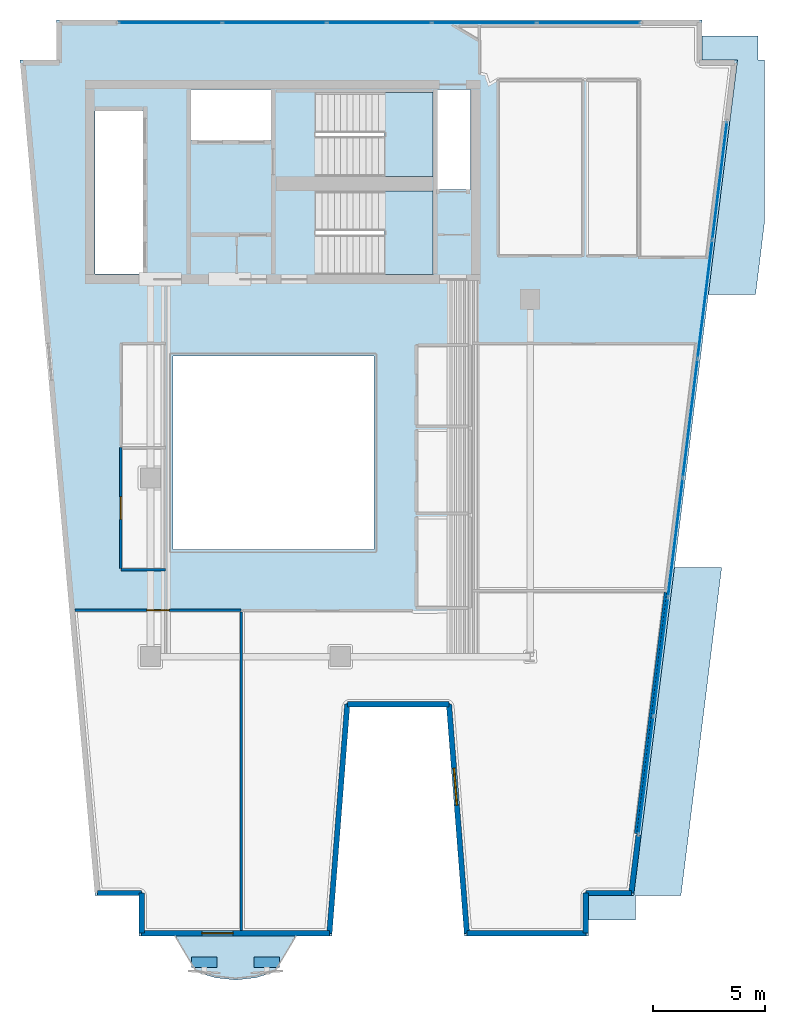
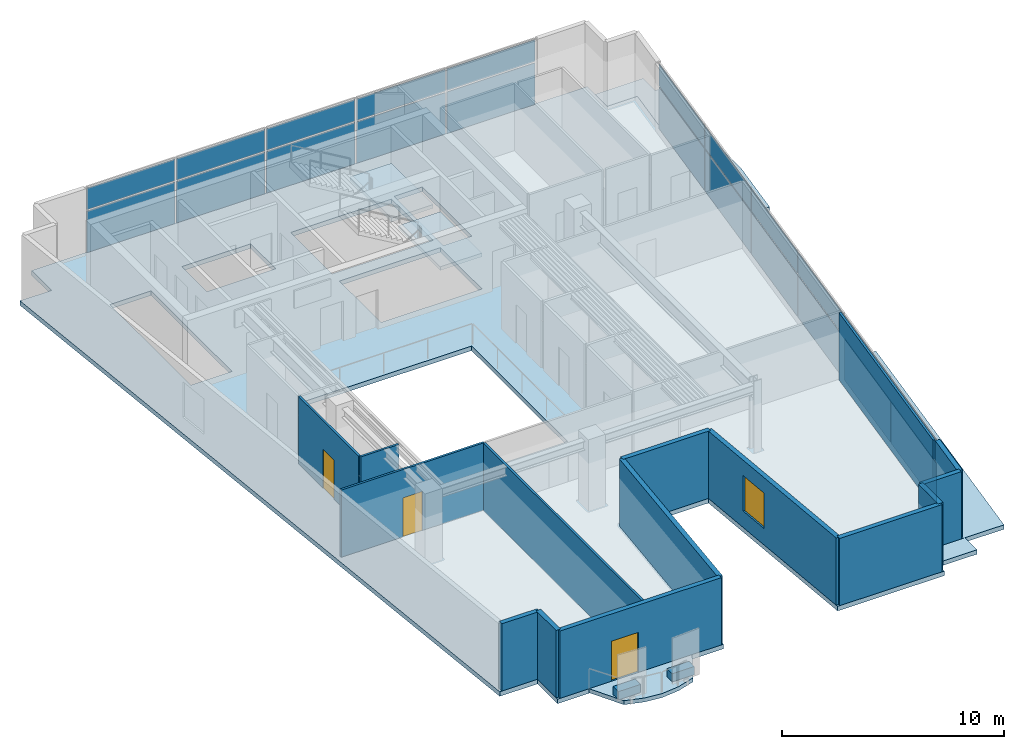
# One storey, part 3 of 8: 24 plates, 15 walls, 6 slabs, 3 doors, 1 window, 4 openings, 4 elements without a shape of their own.
"""IFC4 building model written with IfcOpenShell, lengths in metres."""

from ifc_helpers import new_model, si_unit, direction, frame, frame_2d, origin, origin_2d, place, context, subcontext, project, spatial, polyline, rectangle, outline, extrude, material, layer, layer_set, type_object, element, fill, aggregate, save


model = new_model("IFC4")

# Units and contexts
model_context = context("Model", 3, precision=1e-05, world=origin(), true_north=direction((0.0, 1.0)))
body_context = subcontext(model_context, "Body", "Model", "MODEL_VIEW")
ifc_project = project(units=[si_unit("LENGTHUNIT", "METRE"), si_unit("AREAUNIT", "SQUARE_METRE"), si_unit("VOLUMEUNIT", "CUBIC_METRE"), si_unit("PLANEANGLEUNIT", "RADIAN"), si_unit("MASSUNIT", "GRAM", prefix="KILO")], contexts=[model_context])

# Site, building, storey
site_placement = place(None, origin())
site = spatial("IfcSite", under=ifc_project, at=site_placement, CompositionType="ELEMENT")
building_placement = place(site_placement, origin())
building = spatial("IfcBuilding", under=site, at=building_placement, Name="Caeloran Harvest Quay", CompositionType="ELEMENT")
storey_placement = place(building_placement, frame((0.0, 0.0, 256.699951171875)))
storey = spatial("IfcBuildingStorey", under=building, at=storey_placement, Name="L61", CompositionType="ELEMENT", Elevation=256.699951171875)

# Slab
ifc_material_1 = material(Name="Concrete C50/60", Category="concrete")
ifc_layer_1 = layer(ifc_material_1, 0.219970703125, Name="Concrete C50/60")
ifc_layer_set_1 = layer_set([ifc_layer_1], Name="Concrete C50/60")
slab_type_1 = type_object("IfcSlabType", Name="BALCONY-BL-220", PredefinedType="FLOOR", material=ifc_layer_set_1)
slab_1_placement = place(storey_placement, frame((0.0, 0.0, -0.219970703125)))
element("IfcSlab", 1, at=slab_1_placement, inside=storey, type_object=slab_type_1, Name="L61 Scalloped Cantilevered Planted Balcony Slab", PredefinedType="FLOOR", context=body_context, shape_type="SweptSolid", body=[
    extrude(outline(polyline([(14.103515625, 0.897216796875), (13.20654296875, 0.624267578125), (12.3095703125, 0.5244140625), (11.41259765625, 0.624267578125), (10.515380859375, 0.897216796875), (9.629638671875, 2.5), (14.989501953125, 2.5), (14.103515625, 0.897216796875)])), origin(), (0.0, 0.0, 1.0), 0.219970703125),
])

# Curtain wall, plates
ifc_material_2 = material(Name="Aluminium 6063-T6 and Low-E Glazing", Category="aluminium")
ifc_layer_2 = layer(ifc_material_2, 0.219970703125, Name="Aluminium 6063-T6 and Low-E Glazing")
ifc_layer_set_2 = layer_set([ifc_layer_2], Name="Aluminium 6063-T6 and Low-E Glazing")
curtain_wall_type = type_object("IfcCurtainWallType", Name="CW-SYS-CW-5", PredefinedType="USERDEFINED", material=ifc_layer_set_2)
curtain_wall_1_placement = place(storey_placement, origin())
curtain_wall_1 = element("IfcCurtainWall", 2, at=curtain_wall_1_placement, inside=storey, type_object=curtain_wall_type, Name="L61 Unitised Curtain Wall CW-5 Run 6", ObjectType="CURTAIN_WALL", PredefinedType="USERDEFINED")
ifc_material_3 = material(Name="Low-E Double Glazed Vision Glass Unit", Category="glass")
ifc_layer_3 = layer(ifc_material_3, 0.035888671875, Name="Low-E Double Glazed Vision Glass Unit")
ifc_layer_set_3 = layer_set([ifc_layer_3], Name="Low-E Double Glazed Vision Glass Unit")
plate_type_1 = type_object("IfcPlateType", Name="CW-VISION-PANEL", PredefinedType="CURTAIN_PANEL", material=ifc_layer_set_3)
plate_1_placement = place(storey_placement, frame((9.385986328125, 43.3798828125, 0.080078125), z_axis=(0.0, 0.0, 1.0), x_axis=(1.0, 0.0, 0.0)))
plate_1 = element("IfcPlate", 3, at=plate_1_placement, type_object=plate_type_1, Name="CW-5 panel 1.1", PredefinedType="CURTAIN_PANEL", context=body_context, shape_type="SweptSolid", body=[
    extrude(rectangle(XDim=4.572021484375, YDim=0.035888671875, at=origin_2d()), origin(), (0.0, 0.0, 1.0), 2.280029296875),
])
plate_2_placement = place(storey_placement, frame((9.385986328125, 43.3798828125, 2.43994140625), z_axis=(0.0, 0.0, 1.0), x_axis=(1.0, 0.0, 0.0)))
plate_2 = element("IfcPlate", 4, at=plate_2_placement, type_object=plate_type_1, Name="CW-5 panel 1.2", PredefinedType="CURTAIN_PANEL", context=body_context, shape_type="SweptSolid", body=[
    extrude(rectangle(XDim=4.572021484375, YDim=0.035888671875, at=origin_2d()), origin(), (0.0, 0.0, 1.0), 1.179931640625),
])
plate_3_placement = place(storey_placement, frame((14.05810546875, 43.3798828125, 0.080078125), z_axis=(0.0, 0.0, 1.0), x_axis=(1.0, 0.0, 0.0)))
plate_3 = element("IfcPlate", 5, at=plate_3_placement, type_object=plate_type_1, Name="CW-5 panel 2.1", PredefinedType="CURTAIN_PANEL", context=body_context, shape_type="SweptSolid", body=[
    extrude(rectangle(XDim=4.612060546875, YDim=0.035888671875, at=origin_2d()), origin(), (0.0, 0.0, 1.0), 2.280029296875),
])
plate_4_placement = place(storey_placement, frame((14.05810546875, 43.3798828125, 2.43994140625), z_axis=(0.0, 0.0, 1.0), x_axis=(1.0, 0.0, 0.0)))
plate_4 = element("IfcPlate", 6, at=plate_4_placement, type_object=plate_type_1, Name="CW-5 panel 2.2", PredefinedType="CURTAIN_PANEL", context=body_context, shape_type="SweptSolid", body=[
    extrude(rectangle(XDim=4.612060546875, YDim=0.035888671875, at=origin_2d()), origin(), (0.0, 0.0, 1.0), 1.179931640625),
])
plate_5_placement = place(storey_placement, frame((18.75, 43.3798828125, 0.080078125), z_axis=(0.0, 0.0, 1.0), x_axis=(1.0, 0.0, 0.0)))
plate_5 = element("IfcPlate", 7, at=plate_5_placement, type_object=plate_type_1, Name="CW-5 panel 3.1", PredefinedType="CURTAIN_PANEL", context=body_context, shape_type="SweptSolid", body=[
    extrude(rectangle(XDim=4.612060546875, YDim=0.035888671875, at=origin_2d()), origin(), (0.0, 0.0, 1.0), 2.280029296875),
])
plate_6_placement = place(storey_placement, frame((18.75, 43.3798828125, 2.43994140625), z_axis=(0.0, 0.0, 1.0), x_axis=(1.0, 0.0, 0.0)))
plate_6 = element("IfcPlate", 8, at=plate_6_placement, type_object=plate_type_1, Name="CW-5 panel 3.2", PredefinedType="CURTAIN_PANEL", context=body_context, shape_type="SweptSolid", body=[
    extrude(rectangle(XDim=4.612060546875, YDim=0.035888671875, at=origin_2d()), origin(), (0.0, 0.0, 1.0), 1.179931640625),
])
plate_7_placement = place(storey_placement, frame((23.44189453125, 43.3798828125, 0.080078125), z_axis=(0.0, 0.0, 1.0), x_axis=(1.0, 0.0, 0.0)))
plate_7 = element("IfcPlate", 9, at=plate_7_placement, type_object=plate_type_1, Name="CW-5 panel 4.1", PredefinedType="CURTAIN_PANEL", context=body_context, shape_type="SweptSolid", body=[
    extrude(rectangle(XDim=4.612060546875, YDim=0.035888671875, at=origin_2d()), origin(), (0.0, 0.0, 1.0), 2.280029296875),
])
plate_8_placement = place(storey_placement, frame((23.44189453125, 43.3798828125, 2.43994140625), z_axis=(0.0, 0.0, 1.0), x_axis=(1.0, 0.0, 0.0)))
plate_8 = element("IfcPlate", 10, at=plate_8_placement, type_object=plate_type_1, Name="CW-5 panel 4.2", PredefinedType="CURTAIN_PANEL", context=body_context, shape_type="SweptSolid", body=[
    extrude(rectangle(XDim=4.612060546875, YDim=0.035888671875, at=origin_2d()), origin(), (0.0, 0.0, 1.0), 1.179931640625),
])
plate_9_placement = place(storey_placement, frame((28.114013671875, 43.3798828125, 0.080078125), z_axis=(0.0, 0.0, 1.0), x_axis=(1.0, 0.0, 0.0)))
plate_9 = element("IfcPlate", 11, at=plate_9_placement, type_object=plate_type_1, Name="CW-5 panel 5.1", PredefinedType="CURTAIN_PANEL", context=body_context, shape_type="SweptSolid", body=[
    extrude(rectangle(XDim=4.572021484375, YDim=0.035888671875, at=origin_2d()), origin(), (0.0, 0.0, 1.0), 2.280029296875),
])
plate_10_placement = place(storey_placement, frame((28.114013671875, 43.3798828125, 2.43994140625), z_axis=(0.0, 0.0, 1.0), x_axis=(1.0, 0.0, 0.0)))
plate_10 = element("IfcPlate", 12, at=plate_10_placement, type_object=plate_type_1, Name="CW-5 panel 5.2", PredefinedType="CURTAIN_PANEL", context=body_context, shape_type="SweptSolid", body=[
    extrude(rectangle(XDim=4.572021484375, YDim=0.035888671875, at=origin_2d()), origin(), (0.0, 0.0, 1.0), 1.179931640625),
])
aggregate(curtain_wall_1, [plate_1, plate_2, plate_3, plate_4, plate_5, plate_6, plate_7, plate_8, plate_9, plate_10])

curtain_wall_2_placement = place(storey_placement, origin())
curtain_wall_2 = element("IfcCurtainWall", 13, at=curtain_wall_2_placement, inside=storey, type_object=curtain_wall_type, Name="L61 Unitised Curtain Wall CW-5 Run 9", ObjectType="CURTAIN_WALL", PredefinedType="USERDEFINED")
plate_11_placement = place(storey_placement, frame((33.987060546875, 36.313232421875, 0.080078125), z_axis=(0.0, 0.0, 1.0), x_axis=(-0.123190390176, -0.992383054958, 0.0)))
plate_11 = element("IfcPlate", 14, at=plate_11_placement, type_object=plate_type_1, Name="CW-5 panel 1.1", PredefinedType="CURTAIN_PANEL", context=body_context, shape_type="SweptSolid", body=[
    extrude(rectangle(XDim=5.254150390625, YDim=0.035888671875, at=origin_2d()), origin(), (0.0, 0.0, 1.0), 2.280029296875),
])
plate_12_placement = place(storey_placement, frame((33.987060546875, 36.313232421875, 2.43994140625), z_axis=(0.0, 0.0, 1.0), x_axis=(-0.123190390176, -0.992383054958, 0.0)))
plate_12 = element("IfcPlate", 15, at=plate_12_placement, type_object=plate_type_1, Name="CW-5 panel 1.2", PredefinedType="CURTAIN_PANEL", context=body_context, shape_type="SweptSolid", body=[
    extrude(rectangle(XDim=5.254150390625, YDim=0.035888671875, at=origin_2d()), origin(), (0.0, 0.0, 1.0), 1.179931640625),
])
plate_13_placement = place(storey_placement, frame((33.327392578125, 31.0, 0.080078125), z_axis=(0.0, 0.0, 1.0), x_axis=(-0.123190390176, -0.992383054958, 0.0)))
plate_13 = element("IfcPlate", 16, at=plate_13_placement, type_object=plate_type_1, Name="CW-5 panel 2.1", PredefinedType="CURTAIN_PANEL", context=body_context, shape_type="SweptSolid", body=[
    extrude(rectangle(XDim=5.294189453125, YDim=0.035888671875, at=origin_2d()), origin(), (0.0, 0.0, 1.0), 2.280029296875),
])
plate_14_placement = place(storey_placement, frame((33.327392578125, 31.0, 2.43994140625), z_axis=(0.0, 0.0, 1.0), x_axis=(-0.123190390176, -0.992383054958, 0.0)))
plate_14 = element("IfcPlate", 17, at=plate_14_placement, type_object=plate_type_1, Name="CW-5 panel 2.2", PredefinedType="CURTAIN_PANEL", context=body_context, shape_type="SweptSolid", body=[
    extrude(rectangle(XDim=5.294189453125, YDim=0.035888671875, at=origin_2d()), origin(), (0.0, 0.0, 1.0), 1.179931640625),
])
plate_15_placement = place(storey_placement, frame((32.665283203125, 25.666748046875, 0.080078125), z_axis=(0.0, 0.0, 1.0), x_axis=(-0.123190390176, -0.992383054958, 0.0)))
plate_15 = element("IfcPlate", 18, at=plate_15_placement, type_object=plate_type_1, Name="CW-5 panel 3.1", PredefinedType="CURTAIN_PANEL", context=body_context, shape_type="SweptSolid", body=[
    extrude(rectangle(XDim=5.294189453125, YDim=0.035888671875, at=origin_2d()), origin(), (0.0, 0.0, 1.0), 2.280029296875),
])
plate_16_placement = place(storey_placement, frame((32.665283203125, 25.666748046875, 2.43994140625), z_axis=(0.0, 0.0, 1.0), x_axis=(-0.123190390176, -0.992383054958, 0.0)))
plate_16 = element("IfcPlate", 19, at=plate_16_placement, type_object=plate_type_1, Name="CW-5 panel 3.2", PredefinedType="CURTAIN_PANEL", context=body_context, shape_type="SweptSolid", body=[
    extrude(rectangle(XDim=5.294189453125, YDim=0.035888671875, at=origin_2d()), origin(), (0.0, 0.0, 1.0), 1.179931640625),
])
plate_17_placement = place(storey_placement, frame((32.00341796875, 20.333251953125, 0.080078125), z_axis=(0.0, 0.0, 1.0), x_axis=(-0.123190390176, -0.992383054958, 0.0)))
plate_17 = element("IfcPlate", 20, at=plate_17_placement, type_object=plate_type_1, Name="CW-5 panel 4.1", PredefinedType="CURTAIN_PANEL", context=body_context, shape_type="SweptSolid", body=[
    extrude(rectangle(XDim=5.294189453125, YDim=0.035888671875, at=origin_2d()), origin(), (0.0, 0.0, 1.0), 2.280029296875),
])
plate_18_placement = place(storey_placement, frame((32.00341796875, 20.333251953125, 2.43994140625), z_axis=(0.0, 0.0, 1.0), x_axis=(-0.123190390176, -0.992383054958, 0.0)))
plate_18 = element("IfcPlate", 21, at=plate_18_placement, type_object=plate_type_1, Name="CW-5 panel 4.2", PredefinedType="CURTAIN_PANEL", context=body_context, shape_type="SweptSolid", body=[
    extrude(rectangle(XDim=5.294189453125, YDim=0.035888671875, at=origin_2d()), origin(), (0.0, 0.0, 1.0), 1.179931640625),
])
plate_19_placement = place(storey_placement, frame((31.34130859375, 15.0, 0.080078125), z_axis=(0.0, 0.0, 1.0), x_axis=(-0.123190390176, -0.992383054958, 0.0)))
plate_19 = element("IfcPlate", 22, at=plate_19_placement, type_object=plate_type_1, Name="CW-5 panel 5.1", PredefinedType="CURTAIN_PANEL", context=body_context, shape_type="SweptSolid", body=[
    extrude(rectangle(XDim=5.294189453125, YDim=0.035888671875, at=origin_2d()), origin(), (0.0, 0.0, 1.0), 2.280029296875),
])
plate_20_placement = place(storey_placement, frame((31.34130859375, 15.0, 2.43994140625), z_axis=(0.0, 0.0, 1.0), x_axis=(-0.123190390176, -0.992383054958, 0.0)))
plate_20 = element("IfcPlate", 23, at=plate_20_placement, type_object=plate_type_1, Name="CW-5 panel 5.2", PredefinedType="CURTAIN_PANEL", context=body_context, shape_type="SweptSolid", body=[
    extrude(rectangle(XDim=5.294189453125, YDim=0.035888671875, at=origin_2d()), origin(), (0.0, 0.0, 1.0), 1.179931640625),
])
plate_21_placement = place(storey_placement, frame((30.681640625, 9.686767578125, 0.080078125), z_axis=(0.0, 0.0, 1.0), x_axis=(-0.123190390176, -0.992383054958, 0.0)))
plate_21 = element("IfcPlate", 24, at=plate_21_placement, type_object=plate_type_1, Name="CW-5 panel 6.1", PredefinedType="CURTAIN_PANEL", context=body_context, shape_type="SweptSolid", body=[
    extrude(rectangle(XDim=5.254150390625, YDim=0.035888671875, at=origin_2d()), origin(), (0.0, 0.0, 1.0), 2.280029296875),
])
plate_22_placement = place(storey_placement, frame((30.681640625, 9.686767578125, 2.43994140625), z_axis=(0.0, 0.0, 1.0), x_axis=(-0.123190390176, -0.992383054958, 0.0)))
plate_22 = element("IfcPlate", 25, at=plate_22_placement, type_object=plate_type_1, Name="CW-5 panel 6.2", PredefinedType="CURTAIN_PANEL", context=body_context, shape_type="SweptSolid", body=[
    extrude(rectangle(XDim=5.254150390625, YDim=0.035888671875, at=origin_2d()), origin(), (0.0, 0.0, 1.0), 1.179931640625),
])
aggregate(curtain_wall_2, [plate_11, plate_12, plate_13, plate_14, plate_15, plate_16, plate_17, plate_18, plate_19, plate_20, plate_21, plate_22])

# Plates
ifc_material_4 = material(Name="Precast concrete C50/60", Category="concrete")
ifc_layer_4 = layer(ifc_material_4, 0.449951171875, Name="Precast concrete C50/60")
ifc_layer_set_4 = layer_set([ifc_layer_4], Name="Precast concrete C50/60")
plate_type_2 = type_object("IfcPlateType", Name="PLANTER-TROUGH-450", PredefinedType="USERDEFINED", material=ifc_layer_set_4)
for number, where, z_axis, x_axis, name in (
    (26, (13.708740234375, 1.32080078125, 0.0), (0.0, 0.0, 1.0), (1.0, 0.0, 0.0), "L61 Balcony Vertical-Greenery Precast PLANTER Trough 1"),
    (27, (10.91015625, 1.32080078125, 0.0), (0.0, 0.0, 1.0), (1.0, 0.0, 0.0), "L61 Balcony Vertical-Greenery Precast PLANTER Trough 2"),
):
    element("IfcPlate", number, at=place(storey_placement, frame(where, z_axis=z_axis, x_axis=x_axis)), inside=storey, type_object=plate_type_2, Name=name, ObjectType="PLANTER", PredefinedType="USERDEFINED", context=body_context, shape_type="SweptSolid", body=[
        extrude(rectangle(XDim=1.14990234375, YDim=0.47998046875, at=origin_2d()), origin(), (0.0, 0.0, 1.0), 0.449951171875),
    ])

# Slabs
ifc_layer_5 = layer(ifc_material_1, 0.25, Name="Concrete C50/60")
ifc_layer_set_5 = layer_set([ifc_layer_5], Name="Concrete C50/60")
slab_type_2 = type_object("IfcSlabType", Name="SLAB-FS-250", PredefinedType="FLOOR", material=ifc_layer_set_5)
slab_2_placement = place(storey_placement, frame((0.0, 0.0, -0.25)))
element("IfcSlab", 28, at=slab_2_placement, inside=storey, type_object=slab_type_2, Name="L61 Structural Floor Slab", PredefinedType="FLOOR", context=body_context, shape_type="SweptSolid", body=[
    extrude(outline(polyline([(7.985595703125, 2.5), (16.62451171875, 2.5), (17.424560546875, 12.75), (21.755615234375, 12.75), (22.5556640625, 2.5), (28.110595703125, 2.5), (28.110595703125, 4.300048828125), (30.1337890625, 4.300048828125), (34.776611328125, 41.699951171875), (33.199951171875, 41.699951171875), (33.199951171875, 43.5), (4.300048828125, 43.5), (4.300048828125, 41.699951171875), (2.661865234375, 41.699951171875), (6.023681640625, 4.300048828125), (7.985595703125, 4.300048828125), (7.985595703125, 2.5)]), holes=[polyline([(18.5, 28.449951171875), (18.5, 19.800048828125), (9.5, 19.800048828125), (9.5, 28.449951171875), (18.5, 28.449951171875)]), polyline([(15.89990234375, 32.10009765625), (15.89990234375, 35.85009765625), (21.14990234375, 35.85009765625), (21.14990234375, 32.10009765625), (15.89990234375, 32.10009765625)]), polyline([(8.159912109375, 32.1201171875), (6.02001953125, 32.1201171875), (6.02001953125, 39.419921875), (8.159912109375, 39.419921875), (8.159912109375, 32.1201171875)]), polyline([(22.830078125, 40.3798828125), (22.830078125, 35.919921875), (21.35009765625, 35.919921875), (21.35009765625, 40.3798828125), (22.830078125, 40.3798828125)]), polyline([(15.89990234375, 36.5), (15.89990234375, 40.25), (21.14990234375, 40.25), (21.14990234375, 36.5), (15.89990234375, 36.5)]), polyline([(13.89990234375, 38.1201171875), (10.320068359375, 38.1201171875), (10.320068359375, 40.3798828125), (13.89990234375, 40.3798828125), (13.89990234375, 38.1201171875)])]), origin(), (0.0, 0.0, 1.0), 0.25),
])
ifc_layer_6 = layer(ifc_material_1, 0.239990234375, Name="Concrete C50/60")
ifc_layer_set_6 = layer_set([ifc_layer_6], Name="Concrete C50/60")
slab_type_3 = type_object("IfcSlabType", Name="SLAB-TR-240", PredefinedType="ROOF", material=ifc_layer_set_6)
slab_3_placement = place(storey_placement, frame((0.0, 0.0, -0.239990234375)))
element("IfcSlab", 29, at=slab_3_placement, inside=storey, type_object=slab_type_3, Name="L61 Step-Back Roof Slab 1", PredefinedType="ROOF", context=body_context, shape_type="SweptSolid", body=[
    extrude(outline(polyline([(32.25, 4.300048828125), (30.218994140625, 4.300048828125), (30.218994140625, 3.2099609375), (28.110595703125, 3.2099609375), (28.110595703125, 4.300048828125), (30.1337890625, 4.300048828125), (31.958740234375, 19.0), (33.050048828125, 19.0), (34.07470703125, 19.0), (32.25, 4.300048828125)])), origin(), (0.0, 0.0, 1.0), 0.239990234375),
])
slab_4_placement = place(storey_placement, frame((0.0, 0.0, -0.239990234375)))
element("IfcSlab", 30, at=slab_4_placement, inside=storey, type_object=slab_type_3, Name="L61 Step-Back Roof Slab 2", PredefinedType="ROOF", context=body_context, shape_type="SweptSolid", body=[
    extrude(outline(polyline([(35.699951171875, 41.699951171875), (36.0, 41.699951171875), (36.0, 34.508544921875), (35.590576171875, 31.2099609375), (33.474365234375, 31.2099609375), (34.776611328125, 41.699951171875), (33.199951171875, 41.699951171875), (33.199951171875, 42.7900390625), (35.699951171875, 42.7900390625), (35.699951171875, 41.699951171875)])), origin(), (0.0, 0.0, 1.0), 0.239990234375),
])

# Stair, slab
stair_type = type_object("IfcStairType", Name="STAIR-STC-180", PredefinedType="HALF_TURN_STAIR", material=ifc_material_1)
stair_1_placement = place(storey_placement, origin())
stair_1 = element("IfcStair", 31, at=stair_1_placement, inside=storey, type_object=stair_type, Name="L61 Core Pressurized Exit Stair ST-C1", PredefinedType="HALF_TURN_STAIR")
ifc_layer_7 = layer(ifc_material_1, 0.219970703125, Name="Concrete C50/60")
ifc_layer_set_7 = layer_set([ifc_layer_7], Name="Concrete C50/60")
slab_type_4 = type_object("IfcSlabType", Name="STAIR-LANDING-220", PredefinedType="LANDING", material=ifc_layer_set_7)
slab_5_placement = place(storey_placement, frame((0.0, 0.0, 1.775146484375)))
slab_5 = element("IfcSlab", 32, at=slab_5_placement, type_object=slab_type_4, Name="ST-C1 landing 1", PredefinedType="LANDING", context=body_context, shape_type="SweptSolid", body=[
    extrude(outline(polyline([(18.97998046875, 36.5), (21.14990234375, 36.5), (21.14990234375, 40.25), (18.97998046875, 40.25), (18.97998046875, 36.5)])), origin(), (0.0, 0.0, 1.0), 0.199951171875),
])
aggregate(stair_1, [slab_5])

stair_2_placement = place(storey_placement, origin())
stair_2 = element("IfcStair", 33, at=stair_2_placement, inside=storey, type_object=stair_type, Name="L61 Core Pressurized Exit Stair ST-C2", PredefinedType="HALF_TURN_STAIR")
slab_6_placement = place(storey_placement, frame((0.0, 0.0, 1.775146484375)))
slab_6 = element("IfcSlab", 34, at=slab_6_placement, type_object=slab_type_4, Name="ST-C2 landing 1", PredefinedType="LANDING", context=body_context, shape_type="SweptSolid", body=[
    extrude(outline(polyline([(18.97998046875, 32.10009765625), (21.14990234375, 32.10009765625), (21.14990234375, 35.85009765625), (18.97998046875, 35.85009765625), (18.97998046875, 32.10009765625)])), origin(), (0.0, 0.0, 1.0), 0.199951171875),
])
aggregate(stair_2, [slab_6])

# Walls
ifc_layer_8 = layer(ifc_material_4, 0.239990234375, Name="Precast concrete C50/60")
ifc_layer_set_8 = layer_set([ifc_layer_8], Name="Precast concrete C50/60")
wall_type_1 = type_object("IfcWallType", Name="ENV-WALL-EW-240", PredefinedType="STANDARD", material=ifc_layer_set_8)
wall_1_placement = place(storey_placement, frame((8.10546875, 2.6201171875, 0.0), z_axis=(0.0, 0.0, 1.0), x_axis=(0.0, 1.0, 0.0)))
element("IfcWall", 35, at=wall_1_placement, inside=storey, type_object=wall_type_1, Name="L61 Exterior Precast Concrete Facade Wall 1", PredefinedType="STANDARD", context=body_context, shape_type="SweptSolid", body=[
    extrude(rectangle(XDim=1.7998046875, YDim=0.239990234375, at=frame_2d((0.89990234375, 0.0))), origin(), (0.0, 0.0, 1.0), 3.699951171875),
])
wall_2_placement = place(storey_placement, frame((8.10546875, 4.419921875, 0.0), z_axis=(0.0, 0.0, 1.0), x_axis=(-1.0, 0.0, 0.0)))
element("IfcWall", 36, at=wall_2_placement, inside=storey, type_object=wall_type_1, Name="L61 Exterior Precast Concrete Facade Wall 2", PredefinedType="STANDARD", context=body_context, shape_type="SweptSolid", body=[
    extrude(rectangle(XDim=1.97216796875, YDim=0.239990234375, at=frame_2d((0.986083984375, 0.0))), origin(), (0.0, 0.0, 1.0), 3.699951171875),
])
wall_3_placement = place(storey_placement, frame((30.34814453125, 7.000244140625, 0.0), z_axis=(0.0, 0.0, 1.0), x_axis=(-0.123191073593, -0.992382970121, 0.0)))
element("IfcWall", 37, at=wall_3_placement, inside=storey, type_object=wall_type_1, Name="L61 Exterior Facade Corner Pier Wall 9B", PredefinedType="STANDARD", context=body_context, shape_type="SweptSolid", body=[
    extrude(rectangle(XDim=2.60009765625, YDim=0.239990234375, at=frame_2d((1.300048828125, 0.0))), origin(), (0.0, 0.0, 1.0), 3.699951171875),
])
wall_4_placement = place(storey_placement, frame((30.02783203125, 4.419921875, 0.0), z_axis=(0.0, 0.0, 1.0), x_axis=(-1.0, 0.0, 0.0)))
element("IfcWall", 38, at=wall_4_placement, inside=storey, type_object=wall_type_1, Name="L61 Exterior Precast Concrete Facade Wall 10", PredefinedType="STANDARD", context=body_context, shape_type="SweptSolid", body=[
    extrude(rectangle(XDim=2.037353515625, YDim=0.239990234375, at=frame_2d((1.0185546875, 0.0))), origin(), (0.0, 0.0, 1.0), 3.699951171875),
])
wall_5_placement = place(storey_placement, frame((27.990478515625, 4.419921875, 0.0), z_axis=(0.0, 0.0, 1.0), x_axis=(0.0, -1.0, 0.0)))
element("IfcWall", 39, at=wall_5_placement, inside=storey, type_object=wall_type_1, Name="L61 Exterior Precast Concrete Facade Wall 11", PredefinedType="STANDARD", context=body_context, shape_type="SweptSolid", body=[
    extrude(rectangle(XDim=1.7998046875, YDim=0.239990234375, at=frame_2d((0.89990234375, 0.0))), origin(), (0.0, 0.0, 1.0), 3.699951171875),
])
wall_6_placement = place(storey_placement, frame((27.990478515625, 2.6201171875, 0.0), z_axis=(0.0, 0.0, 1.0), x_axis=(-1.0, 0.0, 0.0)))
element("IfcWall", 40, at=wall_6_placement, inside=storey, type_object=wall_type_1, Name="L61 Exterior Precast Concrete Facade Wall 12", PredefinedType="STANDARD", context=body_context, shape_type="SweptSolid", body=[
    extrude(rectangle(XDim=5.32373046875, YDim=0.239990234375, at=frame_2d((2.661865234375, 0.0))), origin(), (0.0, 0.0, 1.0), 3.699951171875),
])

# Wall, opening, window
wall_7_placement = place(storey_placement, frame((22.666748046875, 2.6201171875, 0.0), z_axis=(0.0, 0.0, 1.0), x_axis=(-0.077816860153, 0.996967670627, 0.0)))
wall_7 = element("IfcWall", 41, at=wall_7_placement, inside=storey, type_object=wall_type_1, Name="L61 Exterior Precast Concrete Facade Wall 13", PredefinedType="STANDARD", context=body_context, shape_type="SweptSolid", body=[
    extrude(rectangle(XDim=10.28125, YDim=0.239990234375, at=frame_2d((5.140625, 0.0))), origin(), (0.0, 0.0, 1.0), 3.699951171875),
])
opening_1_placement = place(wall_7_placement, frame((5.7548828125, 0.0, 0.89990234375)))
opening_1 = element("IfcOpeningElement", 42, at=opening_1_placement, cuts=wall_7, Name="Opening W-08", PredefinedType="OPENING", context=body_context, shape_type="SweptSolid", body=[
    extrude(rectangle(XDim=1.64990234375, YDim=1.949951171875, at=frame_2d((0.824951171875, 0.97509765625))), frame((0.0, 0.1298828125, 0.0), z_axis=(0.0, -1.0, 0.0), x_axis=(1.0, 0.0, 0.0)), (0.0, 0.0, 1.0), 0.260009765625),
])
ifc_material_5 = material(Name="Aluminium-Framed Low-E Laminated Glass", Category="aluminium")
window_type = type_object("IfcWindowType", Name="WIN-W-08", PartitioningType="SINGLE_PANEL", PredefinedType="WINDOW", material=ifc_material_5)
window_placement = place(opening_1_placement, origin())
window = element("IfcWindow", 43, at=window_placement, inside=storey, type_object=window_type, Name="L61 Facade Punched Window W-08", OverallHeight=1.949951171875, OverallWidth=1.64990234375, PartitioningType="SINGLE_PANEL", PredefinedType="WINDOW", context=body_context, shape_type="SweptSolid", body=[
    extrude(rectangle(XDim=1.64990234375, YDim=1.949951171875, at=frame_2d((0.824951171875, 0.97509765625))), frame((0.0, 0.030029296875, 0.0), z_axis=(0.0, -1.0, 0.0), x_axis=(1.0, 0.0, 0.0)), (0.0, 0.0, 1.0), 0.06005859375),
])
fill(opening_1, window)

# Walls
wall_8_placement = place(storey_placement, frame((21.86669921875, 12.8701171875, 0.0), z_axis=(0.0, 0.0, 1.0), x_axis=(-1.0, 0.0, 0.0)))
element("IfcWall", 44, at=wall_8_placement, inside=storey, type_object=wall_type_1, Name="L61 Exterior Precast Concrete Facade Wall 14", PredefinedType="STANDARD", context=body_context, shape_type="SweptSolid", body=[
    extrude(rectangle(XDim=4.55322265625, YDim=0.239990234375, at=frame_2d((2.276611328125, 0.0))), origin(), (0.0, 0.0, 1.0), 3.699951171875),
])
wall_9_placement = place(storey_placement, frame((17.3134765625, 12.8701171875, 0.0), z_axis=(0.0, 0.0, 1.0), x_axis=(-0.077816860153, -0.996967670627, 0.0)))
element("IfcWall", 45, at=wall_9_placement, inside=storey, type_object=wall_type_1, Name="L61 Exterior Precast Concrete Facade Wall 15", PredefinedType="STANDARD", context=body_context, shape_type="SweptSolid", body=[
    extrude(rectangle(XDim=10.28125, YDim=0.239990234375, at=frame_2d((5.140625, 0.0))), origin(), (0.0, 0.0, 1.0), 3.699951171875),
])

# Wall, opening, door
wall_10_placement = place(storey_placement, frame((16.513427734375, 2.6201171875, 0.0), z_axis=(0.0, 0.0, 1.0), x_axis=(-1.0, 0.0, 0.0)))
wall_10 = element("IfcWall", 46, at=wall_10_placement, inside=storey, type_object=wall_type_1, Name="L61 Exterior Precast Concrete Facade Wall 16", PredefinedType="STANDARD", context=body_context, shape_type="SweptSolid", body=[
    extrude(rectangle(XDim=8.407958984375, YDim=0.239990234375, at=frame_2d((4.2041015625, 0.0))), origin(), (0.0, 0.0, 1.0), 3.699951171875),
])
opening_2_placement = place(wall_10_placement, frame((4.31103515625, 0.0, 0.0)))
opening_2 = element("IfcOpeningElement", 47, at=opening_2_placement, cuts=wall_10, Name="Opening BD-02", PredefinedType="OPENING", context=body_context, shape_type="SweptSolid", body=[
    extrude(rectangle(XDim=1.39990234375, YDim=2.199951171875, at=frame_2d((0.699951171875, 1.10009765625))), frame((0.0, 0.1298828125, 0.0), z_axis=(0.0, -1.0, 0.0), x_axis=(1.0, 0.0, 0.0)), (0.0, 0.0, 1.0), 0.260009765625),
])
ifc_material_6 = material(Name="Thermally Broken Powder-Coated Aluminium and Safety Glass", Category="aluminium")
door_type_1 = type_object("IfcDoorType", Name="EXTDOOR-BD-02", OperationType="NOTDEFINED", PredefinedType="DOOR", material=ifc_material_6)
door_1_placement = place(opening_2_placement, origin())
door_1 = element("IfcDoor", 48, at=door_1_placement, inside=storey, type_object=door_type_1, Name="L61 Planted Balcony Glazed Access Door", OperationType="SINGLE_SWING_RIGHT", OverallHeight=2.199951171875, OverallWidth=1.39990234375, PredefinedType="DOOR", context=body_context, shape_type="SweptSolid", body=[
    extrude(rectangle(XDim=1.39990234375, YDim=2.199951171875, at=frame_2d((0.699951171875, 1.10009765625))), frame((0.0, 0.02490234375, 0.0), z_axis=(0.0, -1.0, 0.0), x_axis=(1.0, 0.0, 0.0)), (0.0, 0.0, 1.0), 0.050048828125),
])
fill(opening_2, door_1)

ifc_material_7 = material(Name="Single-Stud Acoustic Gypsum Office Partition", Category="gypsum")
ifc_layer_9 = layer(ifc_material_7, 0.112060546875, Name="Single-Stud Acoustic Gypsum Office Partition")
ifc_layer_set_9 = layer_set([ifc_layer_9], Name="Single-Stud Acoustic Gypsum Office Partition")
wall_type_2 = type_object("IfcWallType", Name="INT-WALL-PW-112", PredefinedType="PARTITIONING", material=ifc_layer_set_9)
wall_11_placement = place(storey_placement, frame((5.121826171875, 17.070068359375, 0.0), z_axis=(0.0, 0.0, 1.0), x_axis=(1.0, 0.0, 0.0)))
wall_11 = element("IfcWall", 49, at=wall_11_placement, inside=storey, type_object=wall_type_2, Name="Boutique Family-Office Chambers Partition Wall", PredefinedType="PARTITIONING", context=body_context, shape_type="SweptSolid", body=[
    extrude(rectangle(XDim=7.438232421875, YDim=0.112060546875, at=frame_2d((3.71923828125, 0.0))), origin(), (0.0, 0.0, 1.0), 3.699951171875),
])
opening_3_placement = place(wall_11_placement, frame((3.218994140625, 0.0, 0.0)))
opening_3 = element("IfcOpeningElement", 50, at=opening_3_placement, cuts=wall_11, Name="Opening ID-01", PredefinedType="OPENING", context=body_context, shape_type="SweptSolid", body=[
    extrude(rectangle(XDim=1.0, YDim=2.14990234375, at=frame_2d((0.5, 1.074951171875))), frame((0.0, 0.06591796875, 0.0), z_axis=(0.0, -1.0, 0.0), x_axis=(1.0, 0.0, 0.0)), (0.0, 0.0, 1.0), 0.132080078125),
])
ifc_material_8 = material(Name="FSC Solid-Core Ash Timber and Acoustic Seal", Category="wood")
door_type_2 = type_object("IfcDoorType", Name="INTDOOR-ID-01", OperationType="NOTDEFINED", PredefinedType="DOOR", material=ifc_material_8)
door_2_placement = place(opening_3_placement, origin())
door_2 = element("IfcDoor", 51, at=door_2_placement, inside=storey, type_object=door_type_2, Name="Boutique Family-Office Chambers Access Door", OperationType="SINGLE_SWING_LEFT", OverallHeight=2.14990234375, OverallWidth=1.0, PredefinedType="DOOR", context=body_context, shape_type="SweptSolid", body=[
    extrude(rectangle(XDim=1.0, YDim=2.14990234375, at=frame_2d((0.5, 1.074951171875))), frame((0.0, 0.02490234375, 0.0), z_axis=(0.0, -1.0, 0.0), x_axis=(1.0, 0.0, 0.0)), (0.0, 0.0, 1.0), 0.050048828125),
])
fill(opening_3, door_2)

# Walls
wall_12_placement = place(storey_placement, frame((12.56005859375, 17.009033203125, 0.0), z_axis=(0.0, 0.0, 1.0), x_axis=(0.0, -1.0, 0.0)))
element("IfcWall", 52, at=wall_12_placement, inside=storey, type_object=wall_type_2, Name="Boutique Family-Office Chambers Partition Wall", PredefinedType="PARTITIONING", context=body_context, shape_type="SweptSolid", body=[
    extrude(rectangle(XDim=14.263916015625, YDim=0.112060546875, at=frame_2d((7.1318359375, 0.0))), origin(), (0.0, 0.0, 1.0), 3.699951171875),
])
wall_13_placement = place(storey_placement, frame((31.557373046875, 17.87890625, 0.0), z_axis=(0.0, 0.0, 1.0), x_axis=(-0.12319234905, -0.99238281179, 0.0)))
element("IfcWall", 53, at=wall_13_placement, inside=storey, type_object=wall_type_2, Name="Philanthropy Impact Office Partition Wall", PredefinedType="PARTITIONING", context=body_context, shape_type="SweptSolid", body=[
    extrude(rectangle(XDim=10.8798828125, YDim=0.112060546875, at=frame_2d((5.43994140625, 0.0))), origin(), (0.0, 0.0, 1.0), 3.699951171875),
])
wall_14_placement = place(storey_placement, frame((9.169921875, 18.8798828125, 0.0), z_axis=(0.0, 0.0, 1.0), x_axis=(-1.0, 0.0, 0.0)))
element("IfcWall", 54, at=wall_14_placement, inside=storey, type_object=wall_type_2, Name="Quantitative Strategy Laboratory Partition Wall", PredefinedType="PARTITIONING", context=body_context, shape_type="SweptSolid", body=[
    extrude(rectangle(XDim=1.989990234375, YDim=0.112060546875, at=frame_2d((0.9951171875, 0.0))), origin(), (0.0, 0.0, 1.0), 3.699951171875),
])

# Wall, opening, door
wall_15_placement = place(storey_placement, frame((7.179931640625, 18.94091796875, 0.0), z_axis=(0.0, 0.0, 1.0), x_axis=(0.0, 1.0, 0.0)))
wall_15 = element("IfcWall", 55, at=wall_15_placement, inside=storey, type_object=wall_type_2, Name="Quantitative Strategy Laboratory Partition Wall", PredefinedType="PARTITIONING", context=body_context, shape_type="SweptSolid", body=[
    extrude(rectangle(XDim=5.419189453125, YDim=0.112060546875, at=frame_2d((2.70947265625, 0.0))), origin(), (0.0, 0.0, 1.0), 3.699951171875),
])
opening_4_placement = place(wall_15_placement, frame((2.20947265625, 0.0, 0.0)))
opening_4 = element("IfcOpeningElement", 56, at=opening_4_placement, cuts=wall_15, Name="Opening ID-01", PredefinedType="OPENING", context=body_context, shape_type="SweptSolid", body=[
    extrude(rectangle(XDim=1.0, YDim=2.14990234375, at=frame_2d((0.5, 1.074951171875))), frame((0.0, 0.06591796875, 0.0), z_axis=(0.0, -1.0, 0.0), x_axis=(1.0, 0.0, 0.0)), (0.0, 0.0, 1.0), 0.132080078125),
])
door_3_placement = place(opening_4_placement, origin())
door_3 = element("IfcDoor", 57, at=door_3_placement, inside=storey, type_object=door_type_2, Name="Quantitative Strategy Laboratory Access Door", OperationType="SINGLE_SWING_LEFT", OverallHeight=2.14990234375, OverallWidth=1.0, PredefinedType="DOOR", context=body_context, shape_type="SweptSolid", body=[
    extrude(rectangle(XDim=1.0, YDim=2.14990234375, at=frame_2d((0.5, 1.074951171875))), frame((0.0, 0.02490234375, 0.0), z_axis=(0.0, -1.0, 0.0), x_axis=(1.0, 0.0, 0.0)), (0.0, 0.0, 1.0), 0.050048828125),
])
fill(opening_4, door_3)

save(model, "model.ifc")
